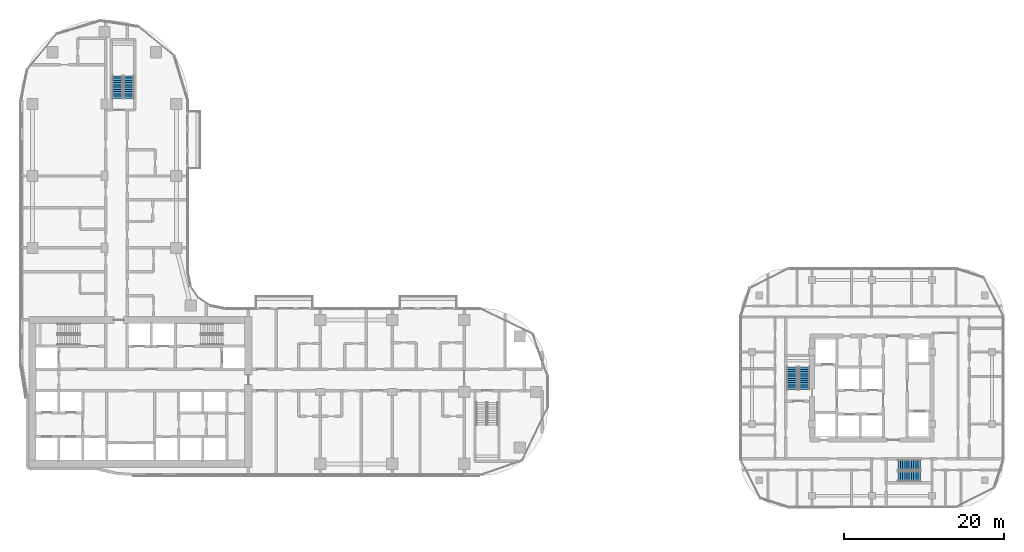
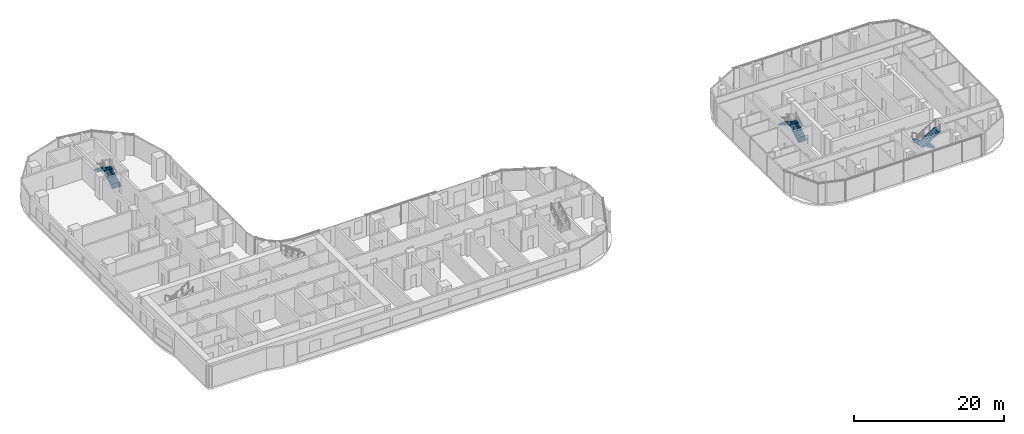
# One storey, part 25 of 31: 6 stair flights, 3 elements without a shape of their own.
"""IFC4 building model written with IfcOpenShell, lengths in metres."""

from ifc_helpers import new_model, si_unit, direction, frame, origin, place, context, subcontext, project, spatial, triangles, source, transform, mapped, material, type_object, element, aggregate, save


model = new_model("IFC4")

# Units and contexts
model_context = context("Model", 3, precision=1e-05, world=origin(), true_north=direction((0.0, 1.0)))
body_context = subcontext(model_context, "Body", "Model", "MODEL_VIEW")
ifc_project = project(units=[si_unit("LENGTHUNIT", "METRE"), si_unit("AREAUNIT", "SQUARE_METRE"), si_unit("VOLUMEUNIT", "CUBIC_METRE"), si_unit("PLANEANGLEUNIT", "RADIAN"), si_unit("MASSUNIT", "GRAM", prefix="KILO")], contexts=[model_context])

# Site, building, storey
site_placement = place(None, origin())
site = spatial("IfcSite", under=ifc_project, at=site_placement, CompositionType="ELEMENT")
building_placement = place(site_placement, origin())
building = spatial("IfcBuilding", under=site, at=building_placement, Name="Ogive Portal Towers", CompositionType="ELEMENT")
storey_placement = place(building_placement, frame((0.0, 0.0, 74.199951171875)))
storey = spatial("IfcBuildingStorey", under=building, at=storey_placement, Name="L17", CompositionType="ELEMENT", Elevation=74.199951171875)

# Stair, stair flights
ifc_material = material(Name="Concrete C40/50", Category="concrete")
stair_type = type_object("IfcStairType", Name="INT-STAIR", PredefinedType="HALF_TURN_STAIR", material=ifc_material)
stair_1_placement = place(storey_placement, origin())
stair_1 = element("IfcStair", 1, at=stair_1_placement, inside=storey, type_object=stair_type, Name="L17 Exit Stair ST-A3", PredefinedType="HALF_TURN_STAIR")
stair_flight_type = type_object("IfcStairFlightType", Name="INT-FLIGHT", PredefinedType="STRAIGHT", material=ifc_material)
shared_shape = source(origin(), body_context, "Body", "Tessellation", [
    triangles([(0.0, -0.650146484375, 0.0), (0.0, -0.376220703125, 0.0), (0.0, -0.192626953125, 0.0), (0.0, -0.081298828125, 0.0), (0.0, -0.024169921875, 0.0), (0.0, -0.003173828125, 0.0), (0.0, 0.0, 0.0), (0.0, 0.0029296875, 0.0), (0.0, 0.02392578125, 0.0), (0.0, 0.0810546875, 0.0), (0.0, 0.1923828125, 0.0), (0.0, 0.3759765625, 0.0), (0.0, 0.64990234375, 0.0), (0.0, -0.650146484375, 0.168212890625), (0.0, -0.376220703125, 0.168212890625), (0.0, -0.192626953125, 0.168212890625), (0.0, -0.081298828125, 0.168212890625), (0.0, -0.024169921875, 0.168212890625), (0.0, -0.003173828125, 0.168212890625), (0.0, 0.0, 0.168212890625), (0.0, 0.0029296875, 0.168212890625), (0.0, 0.02392578125, 0.168212890625), (0.0, 0.0810546875, 0.168212890625), (0.0, 0.1923828125, 0.168212890625), (0.0, 0.3759765625, 0.168212890625), (0.0, 0.64990234375, 0.168212890625), (0.280029296875, -0.650146484375, 0.168212890625), (0.280029296875, -0.376220703125, 0.168212890625), (0.280029296875, -0.192626953125, 0.168212890625), (0.280029296875, -0.081298828125, 0.168212890625), (0.280029296875, -0.024169921875, 0.168212890625), (0.280029296875, -0.003173828125, 0.168212890625), (0.280029296875, 0.0, 0.168212890625), (0.280029296875, 0.0029296875, 0.168212890625), (0.280029296875, 0.02392578125, 0.168212890625), (0.280029296875, 0.0810546875, 0.168212890625), (0.280029296875, 0.1923828125, 0.168212890625), (0.280029296875, 0.3759765625, 0.168212890625), (0.280029296875, 0.64990234375, 0.168212890625), (0.280029296875, -0.650146484375, 0.33642578125), (0.280029296875, -0.376220703125, 0.33642578125), (0.280029296875, -0.192626953125, 0.33642578125), (0.280029296875, -0.081298828125, 0.33642578125), (0.280029296875, -0.024169921875, 0.33642578125), (0.280029296875, -0.003173828125, 0.33642578125), (0.280029296875, 0.0, 0.33642578125), (0.280029296875, 0.0029296875, 0.33642578125), (0.280029296875, 0.02392578125, 0.33642578125), (0.280029296875, 0.0810546875, 0.33642578125), (0.280029296875, 0.1923828125, 0.33642578125), (0.280029296875, 0.3759765625, 0.33642578125), (0.280029296875, 0.64990234375, 0.33642578125), (0.56005859375, -0.650146484375, 0.33642578125), (0.56005859375, -0.376220703125, 0.33642578125), (0.56005859375, -0.192626953125, 0.33642578125), (0.56005859375, -0.081298828125, 0.33642578125), (0.56005859375, -0.024169921875, 0.33642578125), (0.56005859375, -0.003173828125, 0.33642578125), (0.56005859375, 0.0, 0.33642578125), (0.56005859375, 0.0029296875, 0.33642578125), (0.56005859375, 0.02392578125, 0.33642578125), (0.56005859375, 0.0810546875, 0.33642578125), (0.56005859375, 0.1923828125, 0.33642578125), (0.56005859375, 0.3759765625, 0.33642578125), (0.56005859375, 0.64990234375, 0.33642578125), (0.56005859375, -0.650146484375, 0.504638671875), (0.56005859375, -0.376220703125, 0.504638671875), (0.56005859375, -0.192626953125, 0.504638671875), (0.56005859375, -0.081298828125, 0.504638671875), (0.56005859375, -0.024169921875, 0.504638671875), (0.56005859375, -0.003173828125, 0.504638671875), (0.56005859375, 0.0, 0.504638671875), (0.56005859375, 0.0029296875, 0.504638671875), (0.56005859375, 0.02392578125, 0.504638671875), (0.56005859375, 0.0810546875, 0.504638671875), (0.56005859375, 0.1923828125, 0.504638671875), (0.56005859375, 0.3759765625, 0.504638671875), (0.56005859375, 0.64990234375, 0.504638671875), (0.840087890625, -0.650146484375, 0.504638671875), (0.840087890625, -0.376220703125, 0.504638671875), (0.840087890625, -0.192626953125, 0.504638671875), (0.840087890625, -0.081298828125, 0.504638671875), (0.840087890625, -0.024169921875, 0.504638671875), (0.840087890625, -0.003173828125, 0.504638671875), (0.840087890625, 0.0, 0.504638671875), (0.840087890625, 0.0029296875, 0.504638671875), (0.840087890625, 0.02392578125, 0.504638671875), (0.840087890625, 0.0810546875, 0.504638671875), (0.840087890625, 0.1923828125, 0.504638671875), (0.840087890625, 0.3759765625, 0.504638671875), (0.840087890625, 0.64990234375, 0.504638671875), (0.840087890625, -0.650146484375, 0.672607421875), (0.840087890625, -0.376220703125, 0.672607421875), (0.840087890625, -0.192626953125, 0.672607421875), (0.840087890625, -0.081298828125, 0.672607421875), (0.840087890625, -0.024169921875, 0.672607421875), (0.840087890625, -0.003173828125, 0.672607421875), (0.840087890625, 0.0, 0.672607421875), (0.840087890625, 0.0029296875, 0.672607421875), (0.840087890625, 0.02392578125, 0.672607421875), (0.840087890625, 0.0810546875, 0.672607421875), (0.840087890625, 0.1923828125, 0.672607421875), (0.840087890625, 0.3759765625, 0.672607421875), (0.840087890625, 0.64990234375, 0.672607421875), (1.1201171875, -0.650146484375, 0.672607421875), (1.1201171875, -0.376220703125, 0.672607421875), (1.1201171875, -0.192626953125, 0.672607421875), (1.1201171875, -0.081298828125, 0.672607421875), (1.1201171875, -0.024169921875, 0.672607421875), (1.1201171875, -0.003173828125, 0.672607421875), (1.1201171875, 0.0, 0.672607421875), (1.1201171875, 0.0029296875, 0.672607421875), (1.1201171875, 0.02392578125, 0.672607421875), (1.1201171875, 0.0810546875, 0.672607421875), (1.1201171875, 0.1923828125, 0.672607421875), (1.1201171875, 0.3759765625, 0.672607421875), (1.1201171875, 0.64990234375, 0.672607421875), (1.1201171875, -0.650146484375, 0.8408203125), (1.1201171875, -0.376220703125, 0.8408203125), (1.1201171875, -0.192626953125, 0.8408203125), (1.1201171875, -0.081298828125, 0.8408203125), (1.1201171875, -0.024169921875, 0.8408203125), (1.1201171875, -0.003173828125, 0.8408203125), (1.1201171875, 0.0, 0.8408203125), (1.1201171875, 0.0029296875, 0.8408203125), (1.1201171875, 0.02392578125, 0.8408203125), (1.1201171875, 0.0810546875, 0.8408203125), (1.1201171875, 0.1923828125, 0.8408203125), (1.1201171875, 0.3759765625, 0.8408203125), (1.1201171875, 0.64990234375, 0.8408203125), (1.39990234375, -0.650146484375, 0.8408203125), (1.39990234375, -0.376220703125, 0.8408203125), (1.39990234375, -0.192626953125, 0.8408203125), (1.39990234375, -0.081298828125, 0.8408203125), (1.39990234375, -0.024169921875, 0.8408203125), (1.39990234375, -0.003173828125, 0.8408203125), (1.39990234375, 0.0, 0.8408203125), (1.39990234375, 0.0029296875, 0.8408203125), (1.39990234375, 0.02392578125, 0.8408203125), (1.39990234375, 0.0810546875, 0.8408203125), (1.39990234375, 0.1923828125, 0.8408203125), (1.39990234375, 0.3759765625, 0.8408203125), (1.39990234375, 0.64990234375, 0.8408203125), (1.39990234375, -0.650146484375, 1.009033203125), (1.39990234375, -0.376220703125, 1.009033203125), (1.39990234375, -0.192626953125, 1.009033203125), (1.39990234375, -0.081298828125, 1.009033203125), (1.39990234375, -0.024169921875, 1.009033203125), (1.39990234375, -0.003173828125, 1.009033203125), (1.39990234375, 0.0, 1.009033203125), (1.39990234375, 0.0029296875, 1.009033203125), (1.39990234375, 0.02392578125, 1.009033203125), (1.39990234375, 0.0810546875, 1.009033203125), (1.39990234375, 0.1923828125, 1.009033203125), (1.39990234375, 0.3759765625, 1.009033203125), (1.39990234375, 0.64990234375, 1.009033203125), (1.679931640625, -0.650146484375, 1.009033203125), (1.679931640625, -0.376220703125, 1.009033203125), (1.679931640625, -0.192626953125, 1.009033203125), (1.679931640625, -0.081298828125, 1.009033203125), (1.679931640625, -0.024169921875, 1.009033203125), (1.679931640625, -0.003173828125, 1.009033203125), (1.679931640625, 0.0, 1.009033203125), (1.679931640625, 0.0029296875, 1.009033203125), (1.679931640625, 0.02392578125, 1.009033203125), (1.679931640625, 0.0810546875, 1.009033203125), (1.679931640625, 0.1923828125, 1.009033203125), (1.679931640625, 0.3759765625, 1.009033203125), (1.679931640625, 0.64990234375, 1.009033203125), (1.679931640625, -0.650146484375, 1.17724609375), (1.679931640625, -0.376220703125, 1.17724609375), (1.679931640625, -0.192626953125, 1.17724609375), (1.679931640625, -0.081298828125, 1.17724609375), (1.679931640625, -0.024169921875, 1.17724609375), (1.679931640625, -0.003173828125, 1.17724609375), (1.679931640625, 0.0, 1.17724609375), (1.679931640625, 0.0029296875, 1.17724609375), (1.679931640625, 0.02392578125, 1.17724609375), (1.679931640625, 0.0810546875, 1.17724609375), (1.679931640625, 0.1923828125, 1.17724609375), (1.679931640625, 0.3759765625, 1.17724609375), (1.679931640625, 0.64990234375, 1.17724609375), (1.9599609375, -0.650146484375, 1.17724609375), (1.9599609375, -0.376220703125, 1.17724609375), (1.9599609375, -0.192626953125, 1.17724609375), (1.9599609375, -0.081298828125, 1.17724609375), (1.9599609375, -0.024169921875, 1.17724609375), (1.9599609375, -0.003173828125, 1.17724609375), (1.9599609375, 0.0, 1.17724609375), (1.9599609375, 0.0029296875, 1.17724609375), (1.9599609375, 0.02392578125, 1.17724609375), (1.9599609375, 0.0810546875, 1.17724609375), (1.9599609375, 0.1923828125, 1.17724609375), (1.9599609375, 0.3759765625, 1.17724609375), (1.9599609375, 0.64990234375, 1.17724609375), (1.9599609375, -0.650146484375, 1.345458984375), (1.9599609375, -0.376220703125, 1.345458984375), (1.9599609375, -0.192626953125, 1.345458984375), (1.9599609375, -0.081298828125, 1.345458984375), (1.9599609375, -0.024169921875, 1.345458984375), (1.9599609375, -0.003173828125, 1.345458984375), (1.9599609375, 0.0, 1.345458984375), (1.9599609375, 0.0029296875, 1.345458984375), (1.9599609375, 0.02392578125, 1.345458984375), (1.9599609375, 0.0810546875, 1.345458984375), (1.9599609375, 0.1923828125, 1.345458984375), (1.9599609375, 0.3759765625, 1.345458984375), (1.9599609375, 0.64990234375, 1.345458984375), (2.239990234375, -0.650146484375, 1.345458984375), (2.239990234375, -0.376220703125, 1.345458984375), (2.239990234375, -0.192626953125, 1.345458984375), (2.239990234375, -0.081298828125, 1.345458984375), (2.239990234375, -0.024169921875, 1.345458984375), (2.239990234375, -0.003173828125, 1.345458984375), (2.239990234375, 0.0, 1.345458984375), (2.239990234375, 0.0029296875, 1.345458984375), (2.239990234375, 0.02392578125, 1.345458984375), (2.239990234375, 0.0810546875, 1.345458984375), (2.239990234375, 0.1923828125, 1.345458984375), (2.239990234375, 0.3759765625, 1.345458984375), (2.239990234375, 0.64990234375, 1.345458984375), (2.239990234375, -0.650146484375, 1.513671875), (2.239990234375, -0.376220703125, 1.513671875), (2.239990234375, -0.192626953125, 1.513671875), (2.239990234375, -0.081298828125, 1.513671875), (2.239990234375, -0.024169921875, 1.513671875), (2.239990234375, -0.003173828125, 1.513671875), (2.239990234375, 0.0, 1.513671875), (2.239990234375, 0.0029296875, 1.513671875), (2.239990234375, 0.02392578125, 1.513671875), (2.239990234375, 0.0810546875, 1.513671875), (2.239990234375, 0.1923828125, 1.513671875), (2.239990234375, 0.3759765625, 1.513671875), (2.239990234375, 0.64990234375, 1.513671875), (2.52001953125, -0.650146484375, 1.513671875), (2.52001953125, -0.376220703125, 1.513671875), (2.52001953125, -0.192626953125, 1.513671875), (2.52001953125, -0.081298828125, 1.513671875), (2.52001953125, -0.024169921875, 1.513671875), (2.52001953125, -0.003173828125, 1.513671875), (2.52001953125, 0.0, 1.513671875), (2.52001953125, 0.0029296875, 1.513671875), (2.52001953125, 0.02392578125, 1.513671875), (2.52001953125, 0.0810546875, 1.513671875), (2.52001953125, 0.1923828125, 1.513671875), (2.52001953125, 0.3759765625, 1.513671875), (2.52001953125, 0.64990234375, 1.513671875), (2.52001953125, -0.650146484375, 1.681884765625), (2.52001953125, -0.376220703125, 1.681884765625), (2.52001953125, -0.192626953125, 1.681884765625), (2.52001953125, -0.081298828125, 1.681884765625), (2.52001953125, -0.024169921875, 1.681884765625), (2.52001953125, -0.003173828125, 1.681884765625), (2.52001953125, 0.0, 1.681884765625), (2.52001953125, 0.0029296875, 1.681884765625), (2.52001953125, 0.02392578125, 1.681884765625), (2.52001953125, 0.0810546875, 1.681884765625), (2.52001953125, 0.1923828125, 1.681884765625), (2.52001953125, 0.3759765625, 1.681884765625), (2.52001953125, 0.64990234375, 1.681884765625), (2.800048828125, -0.650146484375, 1.681884765625), (2.800048828125, -0.376220703125, 1.681884765625), (2.800048828125, -0.192626953125, 1.681884765625), (2.800048828125, -0.081298828125, 1.681884765625), (2.800048828125, -0.024169921875, 1.681884765625), (2.800048828125, -0.003173828125, 1.681884765625), (2.800048828125, 0.0, 1.681884765625), (2.800048828125, 0.0029296875, 1.681884765625), (2.800048828125, 0.02392578125, 1.681884765625), (2.800048828125, 0.0810546875, 1.681884765625), (2.800048828125, 0.1923828125, 1.681884765625), (2.800048828125, 0.3759765625, 1.681884765625), (2.800048828125, 0.64990234375, 1.681884765625), (2.800048828125, -0.650146484375, 1.5068359375), (2.800048828125, -0.376220703125, 1.5068359375), (2.800048828125, -0.192626953125, 1.5068359375), (2.800048828125, -0.081298828125, 1.5068359375), (2.800048828125, -0.024169921875, 1.5068359375), (2.800048828125, -0.003173828125, 1.5068359375), (2.800048828125, 0.0, 1.5068359375), (2.800048828125, 0.0029296875, 1.5068359375), (2.800048828125, 0.02392578125, 1.5068359375), (2.800048828125, 0.0810546875, 1.5068359375), (2.800048828125, 0.1923828125, 1.5068359375), (2.800048828125, 0.3759765625, 1.5068359375), (2.800048828125, 0.64990234375, 1.5068359375), (0.291015625, -0.650146484375, 0.0), (0.291015625, -0.376220703125, 0.0), (0.291015625, -0.192626953125, 0.0), (0.291015625, -0.081298828125, 0.0), (0.291015625, -0.024169921875, 0.0), (0.291015625, -0.003173828125, 0.0), (0.291015625, 0.0, 0.0), (0.291015625, 0.0029296875, 0.0), (0.291015625, 0.02392578125, 0.0), (0.291015625, 0.0810546875, 0.0), (0.291015625, 0.1923828125, 0.0), (0.291015625, 0.3759765625, 0.0), (0.291015625, 0.64990234375, 0.0)], [[1, 14, 15], [1, 15, 2], [2, 15, 16], [2, 16, 3], [3, 16, 17], [3, 17, 4], [4, 17, 18], [4, 18, 5], [5, 18, 19], [5, 19, 6], [6, 19, 20], [6, 20, 7], [7, 20, 21], [7, 21, 8], [8, 21, 22], [8, 22, 9], [9, 22, 23], [9, 23, 10], [10, 23, 24], [10, 24, 11], [11, 24, 25], [11, 25, 12], [12, 25, 26], [12, 26, 13], [14, 27, 28], [14, 28, 15], [15, 28, 29], [15, 29, 16], [16, 29, 30], [16, 30, 17], [17, 30, 31], [17, 31, 18], [18, 31, 32], [18, 32, 19], [19, 32, 33], [19, 33, 20], [20, 33, 34], [20, 34, 21], [21, 34, 35], [21, 35, 22], [22, 35, 36], [22, 36, 23], [23, 36, 37], [23, 37, 24], [24, 37, 38], [24, 38, 25], [25, 38, 39], [25, 39, 26], [27, 40, 41], [27, 41, 28], [28, 41, 42], [28, 42, 29], [29, 42, 43], [29, 43, 30], [30, 43, 44], [30, 44, 31], [31, 44, 45], [31, 45, 32], [32, 45, 46], [32, 46, 33], [33, 46, 47], [33, 47, 34], [34, 47, 48], [34, 48, 35], [35, 48, 49], [35, 49, 36], [36, 49, 50], [36, 50, 37], [37, 50, 51], [37, 51, 38], [38, 51, 52], [38, 52, 39], [40, 53, 54], [40, 54, 41], [41, 54, 55], [41, 55, 42], [42, 55, 56], [42, 56, 43], [43, 56, 57], [43, 57, 44], [44, 57, 58], [44, 58, 45], [45, 58, 59], [45, 59, 46], [46, 59, 60], [46, 60, 47], [47, 60, 61], [47, 61, 48], [48, 61, 62], [48, 62, 49], [49, 62, 63], [49, 63, 50], [50, 63, 64], [50, 64, 51], [51, 64, 65], [51, 65, 52], [53, 66, 67], [53, 67, 54], [54, 67, 68], [54, 68, 55], [55, 68, 69], [55, 69, 56], [56, 69, 70], [56, 70, 57], [57, 70, 71], [57, 71, 58], [58, 71, 72], [58, 72, 59], [59, 72, 73], [59, 73, 60], [60, 73, 74], [60, 74, 61], [61, 74, 75], [61, 75, 62], [62, 75, 76], [62, 76, 63], [63, 76, 77], [63, 77, 64], [64, 77, 78], [64, 78, 65], [66, 79, 80], [66, 80, 67], [67, 80, 81], [67, 81, 68], [68, 81, 82], [68, 82, 69], [69, 82, 83], [69, 83, 70], [70, 83, 84], [70, 84, 71], [71, 84, 85], [71, 85, 72], [72, 85, 86], [72, 86, 73], [73, 86, 87], [73, 87, 74], [74, 87, 88], [74, 88, 75], [75, 88, 89], [75, 89, 76], [76, 89, 90], [76, 90, 77], [77, 90, 91], [77, 91, 78], [79, 92, 93], [79, 93, 80], [80, 93, 94], [80, 94, 81], [81, 94, 95], [81, 95, 82], [82, 95, 96], [82, 96, 83], [83, 96, 97], [83, 97, 84], [84, 97, 98], [84, 98, 85], [85, 98, 99], [85, 99, 86], [86, 99, 100], [86, 100, 87], [87, 100, 101], [87, 101, 88], [88, 101, 102], [88, 102, 89], [89, 102, 103], [89, 103, 90], [90, 103, 104], [90, 104, 91], [92, 105, 106], [92, 106, 93], [93, 106, 107], [93, 107, 94], [94, 107, 108], [94, 108, 95], [95, 108, 109], [95, 109, 96], [96, 109, 110], [96, 110, 97], [97, 110, 111], [97, 111, 98], [98, 111, 112], [98, 112, 99], [99, 112, 113], [99, 113, 100], [100, 113, 114], [100, 114, 101], [101, 114, 115], [101, 115, 102], [102, 115, 116], [102, 116, 103], [103, 116, 117], [103, 117, 104], [105, 118, 119], [105, 119, 106], [106, 119, 120], [106, 120, 107], [107, 120, 121], [107, 121, 108], [108, 121, 122], [108, 122, 109], [109, 122, 123], [109, 123, 110], [110, 123, 124], [110, 124, 111], [111, 124, 125], [111, 125, 112], [112, 125, 126], [112, 126, 113], [113, 126, 127], [113, 127, 114], [114, 127, 128], [114, 128, 115], [115, 128, 129], [115, 129, 116], [116, 129, 130], [116, 130, 117], [118, 131, 132], [118, 132, 119], [119, 132, 133], [119, 133, 120], [120, 133, 134], [120, 134, 121], [121, 134, 135], [121, 135, 122], [122, 135, 136], [122, 136, 123], [123, 136, 137], [123, 137, 124], [124, 137, 138], [124, 138, 125], [125, 138, 139], [125, 139, 126], [126, 139, 140], [126, 140, 127], [127, 140, 141], [127, 141, 128], [128, 141, 142], [128, 142, 129], [129, 142, 143], [129, 143, 130], [131, 144, 145], [131, 145, 132], [132, 145, 146], [132, 146, 133], [133, 146, 147], [133, 147, 134], [134, 147, 148], [134, 148, 135], [135, 148, 149], [135, 149, 136], [136, 149, 150], [136, 150, 137], [137, 150, 151], [137, 151, 138], [138, 151, 152], [138, 152, 139], [139, 152, 153], [139, 153, 140], [140, 153, 154], [140, 154, 141], [141, 154, 155], [141, 155, 142], [142, 155, 156], [142, 156, 143], [144, 157, 158], [144, 158, 145], [145, 158, 159], [145, 159, 146], [146, 159, 160], [146, 160, 147], [147, 160, 161], [147, 161, 148], [148, 161, 162], [148, 162, 149], [149, 162, 163], [149, 163, 150], [150, 163, 164], [150, 164, 151], [151, 164, 165], [151, 165, 152], [152, 165, 166], [152, 166, 153], [153, 166, 167], [153, 167, 154], [154, 167, 168], [154, 168, 155], [155, 168, 169], [155, 169, 156], [157, 170, 171], [157, 171, 158], [158, 171, 172], [158, 172, 159], [159, 172, 173], [159, 173, 160], [160, 173, 174], [160, 174, 161], [161, 174, 175], [161, 175, 162], [162, 175, 176], [162, 176, 163], [163, 176, 177], [163, 177, 164], [164, 177, 178], [164, 178, 165], [165, 178, 179], [165, 179, 166], [166, 179, 180], [166, 180, 167], [167, 180, 181], [167, 181, 168], [168, 181, 182], [168, 182, 169], [170, 183, 184], [170, 184, 171], [171, 184, 185], [171, 185, 172], [172, 185, 186], [172, 186, 173], [173, 186, 187], [173, 187, 174], [174, 187, 188], [174, 188, 175], [175, 188, 189], [175, 189, 176], [176, 189, 190], [176, 190, 177], [177, 190, 191], [177, 191, 178], [178, 191, 192], [178, 192, 179], [179, 192, 193], [179, 193, 180], [180, 193, 194], [180, 194, 181], [181, 194, 195], [181, 195, 182], [183, 196, 197], [183, 197, 184], [184, 197, 198], [184, 198, 185], [185, 198, 199], [185, 199, 186], [186, 199, 200], [186, 200, 187], [187, 200, 201], [187, 201, 188], [188, 201, 202], [188, 202, 189], [189, 202, 203], [189, 203, 190], [190, 203, 204], [190, 204, 191], [191, 204, 205], [191, 205, 192], [192, 205, 206], [192, 206, 193], [193, 206, 207], [193, 207, 194], [194, 207, 208], [194, 208, 195], [196, 209, 210], [196, 210, 197], [197, 210, 211], [197, 211, 198], [198, 211, 212], [198, 212, 199], [199, 212, 213], [199, 213, 200], [200, 213, 214], [200, 214, 201], [201, 214, 215], [201, 215, 202], [202, 215, 216], [202, 216, 203], [203, 216, 217], [203, 217, 204], [204, 217, 218], [204, 218, 205], [205, 218, 219], [205, 219, 206], [206, 219, 220], [206, 220, 207], [207, 220, 221], [207, 221, 208], [209, 222, 223], [209, 223, 210], [210, 223, 224], [210, 224, 211], [211, 224, 225], [211, 225, 212], [212, 225, 226], [212, 226, 213], [213, 226, 227], [213, 227, 214], [214, 227, 228], [214, 228, 215], [215, 228, 229], [215, 229, 216], [216, 229, 230], [216, 230, 217], [217, 230, 231], [217, 231, 218], [218, 231, 232], [218, 232, 219], [219, 232, 233], [219, 233, 220], [220, 233, 234], [220, 234, 221], [222, 235, 236], [222, 236, 223], [223, 236, 237], [223, 237, 224], [224, 237, 238], [224, 238, 225], [225, 238, 239], [225, 239, 226], [226, 239, 240], [226, 240, 227], [227, 240, 241], [227, 241, 228], [228, 241, 242], [228, 242, 229], [229, 242, 243], [229, 243, 230], [230, 243, 244], [230, 244, 231], [231, 244, 245], [231, 245, 232], [232, 245, 246], [232, 246, 233], [233, 246, 247], [233, 247, 234], [235, 248, 249], [235, 249, 236], [236, 249, 250], [236, 250, 237], [237, 250, 251], [237, 251, 238], [238, 251, 252], [238, 252, 239], [239, 252, 253], [239, 253, 240], [240, 253, 254], [240, 254, 241], [241, 254, 255], [241, 255, 242], [242, 255, 256], [242, 256, 243], [243, 256, 257], [243, 257, 244], [244, 257, 258], [244, 258, 245], [245, 258, 259], [245, 259, 246], [246, 259, 260], [246, 260, 247], [248, 261, 262], [248, 262, 249], [249, 262, 263], [249, 263, 250], [250, 263, 264], [250, 264, 251], [251, 264, 265], [251, 265, 252], [252, 265, 266], [252, 266, 253], [253, 266, 267], [253, 267, 254], [254, 267, 268], [254, 268, 255], [255, 268, 269], [255, 269, 256], [256, 269, 270], [256, 270, 257], [257, 270, 271], [257, 271, 258], [258, 271, 272], [258, 272, 259], [259, 272, 273], [259, 273, 260], [261, 274, 275], [261, 275, 262], [262, 275, 276], [262, 276, 263], [263, 276, 277], [263, 277, 264], [264, 277, 278], [264, 278, 265], [265, 278, 279], [265, 279, 266], [266, 279, 280], [266, 280, 267], [267, 280, 281], [267, 281, 268], [268, 281, 282], [268, 282, 269], [269, 282, 283], [269, 283, 270], [270, 283, 284], [270, 284, 271], [271, 284, 285], [271, 285, 272], [272, 285, 286], [272, 286, 273], [274, 287, 288], [274, 288, 275], [275, 288, 289], [275, 289, 276], [276, 289, 290], [276, 290, 277], [277, 290, 291], [277, 291, 278], [278, 291, 292], [278, 292, 279], [279, 292, 293], [279, 293, 280], [280, 293, 294], [280, 294, 281], [281, 294, 295], [281, 295, 282], [282, 295, 296], [282, 296, 283], [283, 296, 297], [283, 297, 284], [284, 297, 298], [284, 298, 285], [285, 298, 299], [285, 299, 286], [287, 1, 2], [287, 2, 288], [288, 2, 3], [288, 3, 289], [289, 3, 4], [289, 4, 290], [290, 4, 5], [290, 5, 291], [291, 5, 6], [291, 6, 292], [292, 6, 7], [292, 7, 293], [293, 7, 8], [293, 8, 294], [294, 8, 9], [294, 9, 295], [295, 9, 10], [295, 10, 296], [296, 10, 11], [296, 11, 297], [297, 11, 12], [297, 12, 298], [298, 12, 13], [298, 13, 299], [1, 287, 274], [13, 286, 299], [274, 261, 248], [286, 260, 273], [274, 248, 235], [286, 247, 260], [274, 235, 222], [286, 234, 247], [274, 222, 209], [286, 221, 234], [209, 196, 183], [221, 195, 208], [274, 209, 183], [286, 195, 221], [183, 170, 157], [195, 169, 182], [274, 183, 157], [286, 169, 195], [157, 144, 131], [169, 143, 156], [274, 157, 131], [286, 143, 169], [131, 118, 105], [143, 117, 130], [274, 131, 105], [286, 117, 143], [1, 274, 105], [13, 117, 286], [105, 92, 79], [117, 91, 104], [79, 66, 53], [91, 65, 78], [105, 79, 53], [117, 65, 91], [53, 40, 27], [65, 39, 52], [105, 53, 27], [117, 39, 65], [1, 105, 27], [13, 39, 117], [27, 14, 1], [39, 13, 26]], closed=True),
])
stair_flight_1_placement = place(storey_placement, frame((43.550048828125, 67.199951171875, 0.0), z_axis=(0.0, 0.0, 1.0), x_axis=(0.0, 1.0, 0.0)))
stair_flight_1 = element("IfcStairFlight", 2, at=stair_flight_1_placement, type_object=stair_flight_type, Name="ST-A3 flight 1", NumberOfRisers=11, NumberOfTreads=10, PredefinedType="STRAIGHT", RiserHeight=0.168181818, TreadLength=0.28, context=body_context, shape_type="MappedRepresentation", body=[
    mapped(shared_shape, transform((0.0, 0.0, 0.0), scale=1.0)),
])
stair_flight_2_placement = place(storey_placement, frame((42.14990234375, 70.0, 1.85009765625), z_axis=(0.0, 0.0, 1.0), x_axis=(0.0, -1.0, 0.0)))
stair_flight_2 = element("IfcStairFlight", 3, at=stair_flight_2_placement, type_object=stair_flight_type, Name="ST-A3 flight 2", NumberOfRisers=11, NumberOfTreads=10, PredefinedType="STRAIGHT", RiserHeight=0.168181818, TreadLength=0.28, context=body_context, shape_type="MappedRepresentation", body=[
    mapped(shared_shape, transform((0.0, 0.0, 0.0), scale=1.0)),
])
aggregate(stair_1, [stair_flight_1, stair_flight_2])

stair_2_placement = place(storey_placement, origin())
stair_2 = element("IfcStair", 4, at=stair_2_placement, inside=storey, type_object=stair_type, Name="L17 Exit Stair ST-B1", PredefinedType="HALF_TURN_STAIR")
stair_flight_3_placement = place(storey_placement, frame((128.050048828125, 30.800048828125, 0.0), z_axis=(0.0, 0.0, 1.0), x_axis=(0.0, 1.0, 0.0)))
stair_flight_3 = element("IfcStairFlight", 5, at=stair_flight_3_placement, type_object=stair_flight_type, Name="ST-B1 flight 1", NumberOfRisers=11, NumberOfTreads=10, PredefinedType="STRAIGHT", RiserHeight=0.168181818, TreadLength=0.28, context=body_context, shape_type="MappedRepresentation", body=[
    mapped(shared_shape, transform((0.0, 0.0, 0.0), scale=1.0)),
])
stair_flight_4_placement = place(storey_placement, frame((126.5, 33.60009765625, 1.85009765625), z_axis=(0.0, 0.0, 1.0), x_axis=(0.0, -1.0, 0.0)))
stair_flight_4 = element("IfcStairFlight", 6, at=stair_flight_4_placement, type_object=stair_flight_type, Name="ST-B1 flight 2", NumberOfRisers=11, NumberOfTreads=10, PredefinedType="STRAIGHT", RiserHeight=0.168181818, TreadLength=0.28, context=body_context, shape_type="MappedRepresentation", body=[
    mapped(shared_shape, transform((0.0, 0.0, 0.0), scale=1.0)),
])
aggregate(stair_2, [stair_flight_3, stair_flight_4])

stair_3_placement = place(storey_placement, origin())
stair_3 = element("IfcStair", 7, at=stair_3_placement, inside=storey, type_object=stair_type, Name="L17 Exit Stair ST-B2", PredefinedType="HALF_TURN_STAIR")
stair_flight_5_placement = place(storey_placement, frame((142.550048828125, 21.35009765625, 0.0), z_axis=(0.0, 0.0, 1.0), x_axis=(-1.0, 0.0, 0.0)))
stair_flight_5 = element("IfcStairFlight", 8, at=stair_flight_5_placement, type_object=stair_flight_type, Name="ST-B2 flight 1", NumberOfRisers=11, NumberOfTreads=10, PredefinedType="STRAIGHT", RiserHeight=0.168181818, TreadLength=0.28, context=body_context, shape_type="MappedRepresentation", body=[
    mapped(shared_shape, transform((0.0, 0.0, 0.0), scale=1.0)),
])
stair_flight_6_placement = place(storey_placement, frame((139.75, 19.949951171875, 1.85009765625), z_axis=(0.0, 0.0, 1.0), x_axis=(1.0, 0.0, 0.0)))
stair_flight_6 = element("IfcStairFlight", 9, at=stair_flight_6_placement, type_object=stair_flight_type, Name="ST-B2 flight 2", NumberOfRisers=11, NumberOfTreads=10, PredefinedType="STRAIGHT", RiserHeight=0.168181818, TreadLength=0.28, context=body_context, shape_type="MappedRepresentation", body=[
    mapped(shared_shape, transform((0.0, 0.0, 0.0), scale=1.0)),
])
aggregate(stair_3, [stair_flight_5, stair_flight_6])

save(model, "model.ifc")
